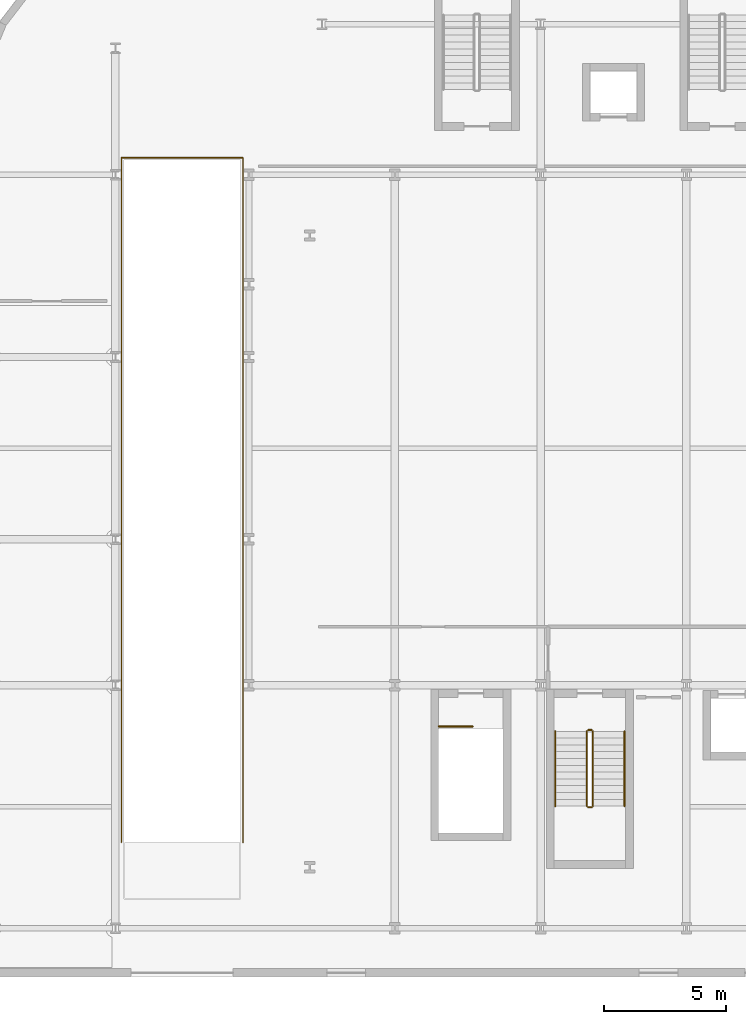
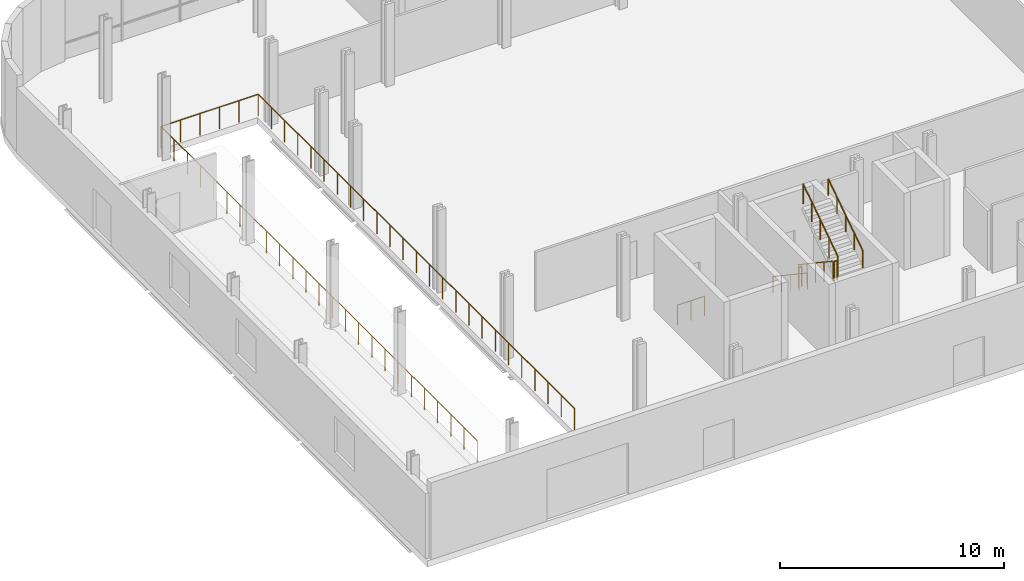
# One storey, part 23 of 28: 8 railings.
"""IFC4 building model written with IfcOpenShell, lengths in metres."""

from ifc_helpers import new_model, si_unit, direction, frame, origin, origin_2d, place, context, subcontext, project, spatial, circle, extrude, material, type_object, element, save


model = new_model("IFC4")

# Units and contexts
model_context = context("Model", 3, precision=1e-05, world=origin(), true_north=direction((0.0, 1.0)))
body_context = subcontext(model_context, "Body", "Model", "MODEL_VIEW")
ifc_project = project(units=[si_unit("LENGTHUNIT", "METRE"), si_unit("AREAUNIT", "SQUARE_METRE"), si_unit("VOLUMEUNIT", "CUBIC_METRE"), si_unit("PLANEANGLEUNIT", "RADIAN"), si_unit("MASSUNIT", "GRAM", prefix="KILO")], contexts=[model_context])

# Site, building, storey
site_placement = place(None, origin())
site = spatial("IfcSite", under=ifc_project, at=site_placement, CompositionType="ELEMENT")
building_placement = place(site_placement, origin())
building = spatial("IfcBuilding", under=site, at=building_placement, Name="Brevholm Reach", CompositionType="ELEMENT")
storey_placement = place(building_placement, origin())
storey = spatial("IfcBuildingStorey", under=building, at=storey_placement, Name="L00", CompositionType="ELEMENT", Elevation=0.0)

# Railings
ifc_material_1 = material(Name="Brushed Stainless Steel EN 1.4401 Continuous Handrail", Category="steel")
railing_type_1 = type_object("IfcRailingType", Name="RAL-HND-950", PredefinedType="HANDRAIL", material=ifc_material_1)
railing_1_placement = place(storey_placement, frame((12.60009765625, 8.10009765625, 0.1875)))
element("IfcRailing", 1, at=railing_1_placement, inside=storey, type_object=railing_type_1, Name="L00 ST-1 stair handrail 1", PredefinedType="HANDRAIL", context=body_context, shape_type="SweptSolid", body=[
    extrude(circle(Radius=0.02392578125, at=origin_2d()), frame((0.0, 0.0, 0.8857421875), z_axis=(0.0, -0.830913701846, 0.55640131208), x_axis=(1.0, 0.0, 0.0)), (0.0, 0.0, 1.0), 3.706787109375),
    extrude(circle(Radius=0.02099609375, at=origin_2d()), origin(), (0.0, 0.0, 1.0), 0.86181640625),
    extrude(circle(Radius=0.02099609375, at=origin_2d()), frame((0.0, -0.77001953125, 0.515625)), (0.0, 0.0, 1.0), 0.86181640625),
    extrude(circle(Radius=0.02099609375, at=origin_2d()), frame((0.0, -1.5400390625, 1.03125)), (0.0, 0.0, 1.0), 0.86181640625),
    extrude(circle(Radius=0.02099609375, at=origin_2d()), frame((0.0, -2.31005859375, 1.546875)), (0.0, 0.0, 1.0), 0.86181640625),
    extrude(circle(Radius=0.02099609375, at=origin_2d()), frame((0.0, -3.080078125, 2.0625)), (0.0, 0.0, 1.0), 0.86181640625),
])
railing_2_placement = place(storey_placement, frame((15.449951171875, 5.02001953125, 2.4375)))
element("IfcRailing", 2, at=railing_2_placement, inside=storey, type_object=railing_type_1, Name="L00 ST-1 stair handrail 2", PredefinedType="HANDRAIL", context=body_context, shape_type="SweptSolid", body=[
    extrude(circle(Radius=0.02392578125, at=origin_2d()), frame((0.0, 0.0, 0.8857421875), z_axis=(0.0, 0.830913701846, 0.55640131208), x_axis=(-1.0, 0.0, 0.0)), (0.0, 0.0, 1.0), 3.706787109375),
    extrude(circle(Radius=0.02099609375, at=origin_2d()), origin(), (0.0, 0.0, 1.0), 0.86181640625),
    extrude(circle(Radius=0.02099609375, at=origin_2d()), frame((0.0, 0.77001953125, 0.515625)), (0.0, 0.0, 1.0), 0.86181640625),
    extrude(circle(Radius=0.02099609375, at=origin_2d()), frame((0.0, 1.5400390625, 1.03125)), (0.0, 0.0, 1.0), 0.86181640625),
    extrude(circle(Radius=0.02099609375, at=origin_2d()), frame((0.0, 2.31005859375, 1.546875)), (0.0, 0.0, 1.0), 0.86181640625),
    extrude(circle(Radius=0.02099609375, at=origin_2d()), frame((0.0, 3.080078125, 2.0625)), (0.0, 0.0, 1.0), 0.86181640625),
])
ifc_material_2 = material(Name="Painted Tubular Galvanised Steel S275JR Stair Guard", Category="steel")
railing_type_2 = type_object("IfcRailingType", Name="RAL-STG-1120", PredefinedType="BALUSTRADE", material=ifc_material_2)
railing_3_placement = place(storey_placement, frame((13.89990234375, 8.10009765625, 0.1875)))
element("IfcRailing", 3, at=railing_3_placement, inside=storey, type_object=railing_type_2, Name="L00 ST-1 stair guard 1", PredefinedType="BALUSTRADE", context=body_context, shape_type="SweptSolid", body=[
    extrude(circle(Radius=0.02392578125, at=origin_2d()), frame((0.0, 0.0, 1.076171875), z_axis=(0.0, -0.830913701846, 0.55640131208), x_axis=(1.0, 0.0, 0.0)), (0.0, 0.0, 1.0), 3.706787109375),
    extrude(circle(Radius=0.02099609375, at=origin_2d()), origin(), (0.0, 0.0, 1.0), 1.052001953125),
    extrude(circle(Radius=0.02099609375, at=origin_2d()), frame((0.0, -0.77001953125, 0.515625)), (0.0, 0.0, 1.0), 1.052001953125),
    extrude(circle(Radius=0.02099609375, at=origin_2d()), frame((0.0, -1.5400390625, 1.03125)), (0.0, 0.0, 1.0), 1.052001953125),
    extrude(circle(Radius=0.02099609375, at=origin_2d()), frame((0.0, -2.31005859375, 1.546875)), (0.0, 0.0, 1.0), 1.052001953125),
    extrude(circle(Radius=0.02099609375, at=origin_2d()), frame((0.0, -3.080078125, 2.0625)), (0.0, 0.0, 1.0), 1.052001953125),
])
railing_4_placement = place(storey_placement, frame((13.949951171875, 4.969970703125, 2.25)))
element("IfcRailing", 4, at=railing_4_placement, inside=storey, type_object=railing_type_2, Name="L00 ST-1 stair guard 2", PredefinedType="BALUSTRADE", context=body_context, shape_type="SweptSolid", body=[
    extrude(circle(Radius=0.02392578125, at=origin_2d()), frame((0.0, 0.0, 1.076171875), z_axis=(1.0, 0.0, 0.0), x_axis=(0.0, 1.0, 0.0)), (0.0, 0.0, 1.0), 0.150146484375),
    extrude(circle(Radius=0.02099609375, at=origin_2d()), origin(), (0.0, 0.0, 1.0), 1.052001953125),
    extrude(circle(Radius=0.02099609375, at=origin_2d()), frame((0.150146484375, 0.0, 0.0)), (0.0, 0.0, 1.0), 1.052001953125),
])
railing_5_placement = place(storey_placement, frame((14.14990234375, 5.02001953125, 2.4375)))
element("IfcRailing", 5, at=railing_5_placement, inside=storey, type_object=railing_type_2, Name="L00 ST-1 stair guard 3", PredefinedType="BALUSTRADE", context=body_context, shape_type="SweptSolid", body=[
    extrude(circle(Radius=0.02392578125, at=origin_2d()), frame((0.0, 0.0, 1.076171875), z_axis=(0.0, 0.830913701846, 0.55640131208), x_axis=(-1.0, 0.0, 0.0)), (0.0, 0.0, 1.0), 3.706787109375),
    extrude(circle(Radius=0.02099609375, at=origin_2d()), origin(), (0.0, 0.0, 1.0), 1.052001953125),
    extrude(circle(Radius=0.02099609375, at=origin_2d()), frame((0.0, 0.77001953125, 0.515625)), (0.0, 0.0, 1.0), 1.052001953125),
    extrude(circle(Radius=0.02099609375, at=origin_2d()), frame((0.0, 1.5400390625, 1.03125)), (0.0, 0.0, 1.0), 1.052001953125),
    extrude(circle(Radius=0.02099609375, at=origin_2d()), frame((0.0, 2.31005859375, 1.546875)), (0.0, 0.0, 1.0), 1.052001953125),
    extrude(circle(Radius=0.02099609375, at=origin_2d()), frame((0.0, 3.080078125, 2.0625)), (0.0, 0.0, 1.0), 1.052001953125),
])
railing_6_placement = place(storey_placement, frame((13.949951171875, 8.14990234375, 0.0)))
element("IfcRailing", 6, at=railing_6_placement, inside=storey, type_object=railing_type_2, Name="L00 ST-1 stair guard 4", PredefinedType="BALUSTRADE", context=body_context, shape_type="SweptSolid", body=[
    extrude(circle(Radius=0.02392578125, at=origin_2d()), frame((0.0, 0.0, 1.076171875), z_axis=(1.0, 0.0, 0.0), x_axis=(0.0, 1.0, 0.0)), (0.0, 0.0, 1.0), 0.150146484375),
    extrude(circle(Radius=0.02099609375, at=origin_2d()), origin(), (0.0, 0.0, 1.0), 1.052001953125),
    extrude(circle(Radius=0.02099609375, at=origin_2d()), frame((0.150146484375, 0.0, 0.0)), (0.0, 0.0, 1.0), 1.052001953125),
])
railing_7_placement = place(storey_placement, frame((7.800048828125, 8.300048828125, 0.0)))
element("IfcRailing", 7, at=railing_7_placement, inside=storey, type_object=railing_type_2, Name="L00 ST-B1 top well guard 1", PredefinedType="BALUSTRADE", context=body_context, shape_type="SweptSolid", body=[
    extrude(circle(Radius=0.02392578125, at=origin_2d()), frame((0.0, 0.0, 1.076171875), z_axis=(1.0, 0.0, 0.0), x_axis=(0.0, 1.0, 0.0)), (0.0, 0.0, 1.0), 1.39990234375),
    extrude(circle(Radius=0.02099609375, at=origin_2d()), origin(), (0.0, 0.0, 1.0), 1.052001953125),
    extrude(circle(Radius=0.02099609375, at=origin_2d()), frame((0.699951171875, 0.0, 0.0)), (0.0, 0.0, 1.0), 1.052001953125),
    extrude(circle(Radius=0.02099609375, at=origin_2d()), frame((1.39990234375, 0.0, 0.0)), (0.0, 0.0, 1.0), 1.052001953125),
])
ifc_material_3 = material(Name="Brushed Stainless Steel EN 1.4401 and Laminated Glass", Category="steel")
railing_type_3 = type_object("IfcRailingType", Name="RAL-TERR-1200", PredefinedType="BALUSTRADE", material=ifc_material_3)
railing_8_placement = place(storey_placement, frame((-5.25, 3.530029296875, 0.0)))
element("IfcRailing", 8, at=railing_8_placement, inside=storey, type_object=railing_type_3, Name="L00 Guard Balustrade RAL-L00-RMP-GUARD", PredefinedType="BALUSTRADE", context=body_context, shape_type="SweptSolid", body=[
    extrude(circle(Radius=0.02392578125, at=origin_2d()), frame((0.0, 0.0, 1.17578125), z_axis=(0.0, 1.0, 0.0), x_axis=(-1.0, 0.0, 0.0)), (0.0, 0.0, 1.0), 28.169921875),
    extrude(circle(Radius=0.02392578125, at=origin_2d()), frame((0.0, 28.169921875, 1.17578125), z_axis=(1.0, 0.0, 0.0), x_axis=(0.0, 1.0, 0.0)), (0.0, 0.0, 1.0), 5.0),
    extrude(circle(Radius=0.02392578125, at=origin_2d()), frame((5.0, 28.169921875, 1.17578125), z_axis=(0.0, -1.0, 0.0), x_axis=(1.0, 0.0, 0.0)), (0.0, 0.0, 1.0), 28.169921875),
    extrude(circle(Radius=0.02099609375, at=origin_2d()), origin(), (0.0, 0.0, 1.0), 1.15185546875),
    extrude(circle(Radius=0.02099609375, at=origin_2d()), frame((0.0, 1.173828125, 0.0)), (0.0, 0.0, 1.0), 1.15185546875),
    extrude(circle(Radius=0.02099609375, at=origin_2d()), frame((0.0, 2.347412109375, 0.0)), (0.0, 0.0, 1.0), 1.15185546875),
    extrude(circle(Radius=0.02099609375, at=origin_2d()), frame((0.0, 3.521240234375, 0.0)), (0.0, 0.0, 1.0), 1.15185546875),
    extrude(circle(Radius=0.02099609375, at=origin_2d()), frame((0.0, 4.695068359375, 0.0)), (0.0, 0.0, 1.0), 1.15185546875),
    extrude(circle(Radius=0.02099609375, at=origin_2d()), frame((0.0, 5.86865234375, 0.0)), (0.0, 0.0, 1.0), 1.15185546875),
    extrude(circle(Radius=0.02099609375, at=origin_2d()), frame((0.0, 7.04248046875, 0.0)), (0.0, 0.0, 1.0), 1.15185546875),
    extrude(circle(Radius=0.02099609375, at=origin_2d()), frame((0.0, 8.21630859375, 0.0)), (0.0, 0.0, 1.0), 1.15185546875),
    extrude(circle(Radius=0.02099609375, at=origin_2d()), frame((0.0, 9.389892578125, 0.0)), (0.0, 0.0, 1.0), 1.15185546875),
    extrude(circle(Radius=0.02099609375, at=origin_2d()), frame((0.0, 10.563720703125, 0.0)), (0.0, 0.0, 1.0), 1.15185546875),
    extrude(circle(Radius=0.02099609375, at=origin_2d()), frame((0.0, 11.737548828125, 0.0)), (0.0, 0.0, 1.0), 1.15185546875),
    extrude(circle(Radius=0.02099609375, at=origin_2d()), frame((0.0, 12.9111328125, 0.0)), (0.0, 0.0, 1.0), 1.15185546875),
    extrude(circle(Radius=0.02099609375, at=origin_2d()), frame((0.0, 14.0849609375, 0.0)), (0.0, 0.0, 1.0), 1.15185546875),
    extrude(circle(Radius=0.02099609375, at=origin_2d()), frame((0.0, 15.2587890625, 0.0)), (0.0, 0.0, 1.0), 1.15185546875),
    extrude(circle(Radius=0.02099609375, at=origin_2d()), frame((0.0, 16.432373046875, 0.0)), (0.0, 0.0, 1.0), 1.15185546875),
    extrude(circle(Radius=0.02099609375, at=origin_2d()), frame((0.0, 17.606201171875, 0.0)), (0.0, 0.0, 1.0), 1.15185546875),
    extrude(circle(Radius=0.02099609375, at=origin_2d()), frame((0.0, 18.780029296875, 0.0)), (0.0, 0.0, 1.0), 1.15185546875),
    extrude(circle(Radius=0.02099609375, at=origin_2d()), frame((0.0, 19.95361328125, 0.0)), (0.0, 0.0, 1.0), 1.15185546875),
    extrude(circle(Radius=0.02099609375, at=origin_2d()), frame((0.0, 21.12744140625, 0.0)), (0.0, 0.0, 1.0), 1.15185546875),
    extrude(circle(Radius=0.02099609375, at=origin_2d()), frame((0.0, 22.30126953125, 0.0)), (0.0, 0.0, 1.0), 1.15185546875),
    extrude(circle(Radius=0.02099609375, at=origin_2d()), frame((0.0, 23.474853515625, 0.0)), (0.0, 0.0, 1.0), 1.15185546875),
    extrude(circle(Radius=0.02099609375, at=origin_2d()), frame((0.0, 24.648681640625, 0.0)), (0.0, 0.0, 1.0), 1.15185546875),
    extrude(circle(Radius=0.02099609375, at=origin_2d()), frame((0.0, 25.822509765625, 0.0)), (0.0, 0.0, 1.0), 1.15185546875),
    extrude(circle(Radius=0.02099609375, at=origin_2d()), frame((0.0, 26.99609375, 0.0)), (0.0, 0.0, 1.0), 1.15185546875),
    extrude(circle(Radius=0.02099609375, at=origin_2d()), frame((0.0, 28.169921875, 0.0)), (0.0, 0.0, 1.0), 1.15185546875),
    extrude(circle(Radius=0.02099609375, at=origin_2d()), frame((1.0, 28.169921875, 0.0)), (0.0, 0.0, 1.0), 1.15185546875),
    extrude(circle(Radius=0.02099609375, at=origin_2d()), frame((2.0, 28.169921875, 0.0)), (0.0, 0.0, 1.0), 1.15185546875),
    extrude(circle(Radius=0.02099609375, at=origin_2d()), frame((3.0, 28.169921875, 0.0)), (0.0, 0.0, 1.0), 1.15185546875),
    extrude(circle(Radius=0.02099609375, at=origin_2d()), frame((4.0, 28.169921875, 0.0)), (0.0, 0.0, 1.0), 1.15185546875),
    extrude(circle(Radius=0.02099609375, at=origin_2d()), frame((5.0, 28.169921875, 0.0)), (0.0, 0.0, 1.0), 1.15185546875),
    extrude(circle(Radius=0.02099609375, at=origin_2d()), frame((5.0, 26.99609375, 0.0)), (0.0, 0.0, 1.0), 1.15185546875),
    extrude(circle(Radius=0.02099609375, at=origin_2d()), frame((5.0, 25.822509765625, 0.0)), (0.0, 0.0, 1.0), 1.15185546875),
    extrude(circle(Radius=0.02099609375, at=origin_2d()), frame((5.0, 24.648681640625, 0.0)), (0.0, 0.0, 1.0), 1.15185546875),
    extrude(circle(Radius=0.02099609375, at=origin_2d()), frame((5.0, 23.474853515625, 0.0)), (0.0, 0.0, 1.0), 1.15185546875),
    extrude(circle(Radius=0.02099609375, at=origin_2d()), frame((5.0, 22.30126953125, 0.0)), (0.0, 0.0, 1.0), 1.15185546875),
    extrude(circle(Radius=0.02099609375, at=origin_2d()), frame((5.0, 21.12744140625, 0.0)), (0.0, 0.0, 1.0), 1.15185546875),
    extrude(circle(Radius=0.02099609375, at=origin_2d()), frame((5.0, 19.95361328125, 0.0)), (0.0, 0.0, 1.0), 1.15185546875),
    extrude(circle(Radius=0.02099609375, at=origin_2d()), frame((5.0, 18.780029296875, 0.0)), (0.0, 0.0, 1.0), 1.15185546875),
    extrude(circle(Radius=0.02099609375, at=origin_2d()), frame((5.0, 17.606201171875, 0.0)), (0.0, 0.0, 1.0), 1.15185546875),
    extrude(circle(Radius=0.02099609375, at=origin_2d()), frame((5.0, 16.432373046875, 0.0)), (0.0, 0.0, 1.0), 1.15185546875),
    extrude(circle(Radius=0.02099609375, at=origin_2d()), frame((5.0, 15.2587890625, 0.0)), (0.0, 0.0, 1.0), 1.15185546875),
    extrude(circle(Radius=0.02099609375, at=origin_2d()), frame((5.0, 14.0849609375, 0.0)), (0.0, 0.0, 1.0), 1.15185546875),
    extrude(circle(Radius=0.02099609375, at=origin_2d()), frame((5.0, 12.9111328125, 0.0)), (0.0, 0.0, 1.0), 1.15185546875),
    extrude(circle(Radius=0.02099609375, at=origin_2d()), frame((5.0, 11.737548828125, 0.0)), (0.0, 0.0, 1.0), 1.15185546875),
    extrude(circle(Radius=0.02099609375, at=origin_2d()), frame((5.0, 10.563720703125, 0.0)), (0.0, 0.0, 1.0), 1.15185546875),
    extrude(circle(Radius=0.02099609375, at=origin_2d()), frame((5.0, 9.389892578125, 0.0)), (0.0, 0.0, 1.0), 1.15185546875),
    extrude(circle(Radius=0.02099609375, at=origin_2d()), frame((5.0, 8.21630859375, 0.0)), (0.0, 0.0, 1.0), 1.15185546875),
    extrude(circle(Radius=0.02099609375, at=origin_2d()), frame((5.0, 7.04248046875, 0.0)), (0.0, 0.0, 1.0), 1.15185546875),
    extrude(circle(Radius=0.02099609375, at=origin_2d()), frame((5.0, 5.86865234375, 0.0)), (0.0, 0.0, 1.0), 1.15185546875),
    extrude(circle(Radius=0.02099609375, at=origin_2d()), frame((5.0, 4.695068359375, 0.0)), (0.0, 0.0, 1.0), 1.15185546875),
    extrude(circle(Radius=0.02099609375, at=origin_2d()), frame((5.0, 3.521240234375, 0.0)), (0.0, 0.0, 1.0), 1.15185546875),
    extrude(circle(Radius=0.02099609375, at=origin_2d()), frame((5.0, 2.347412109375, 0.0)), (0.0, 0.0, 1.0), 1.15185546875),
    extrude(circle(Radius=0.02099609375, at=origin_2d()), frame((5.0, 1.173828125, 0.0)), (0.0, 0.0, 1.0), 1.15185546875),
    extrude(circle(Radius=0.02099609375, at=origin_2d()), frame((5.0, 0.0, 0.0)), (0.0, 0.0, 1.0), 1.15185546875),
])

save(model, "model.ifc")
